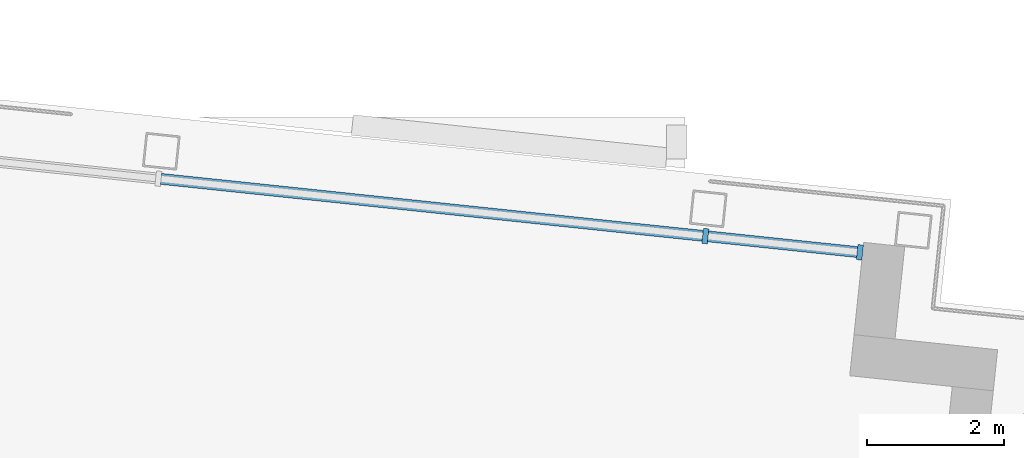
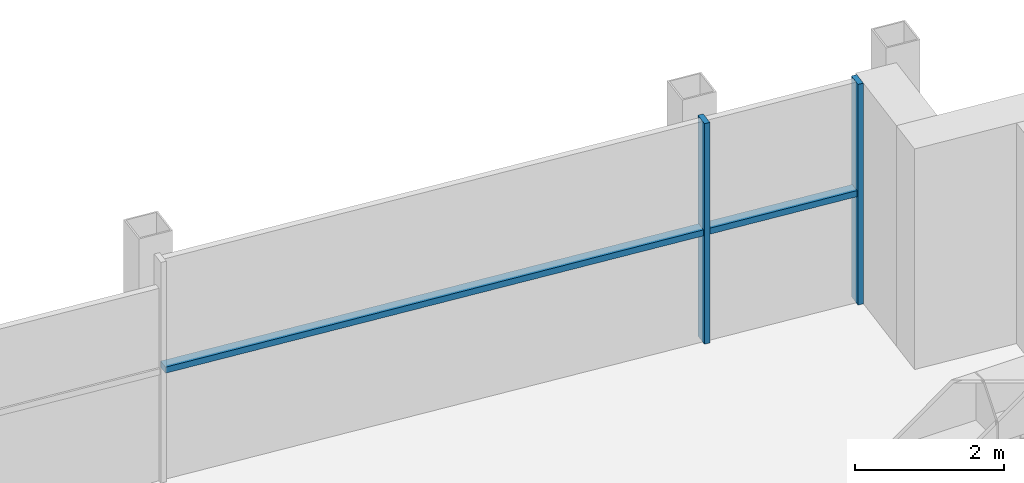
# One storey, part 5 of 18: 4 members, 1 element without a shape of its own.
"""IFC4 building model written with IfcOpenShell, lengths in metres."""

from ifc_helpers import new_model, si_unit, direction, frame, origin, origin_2d, place, context, subcontext, project, spatial, rectangle, extrude, material, material_profile, profile_set, type_object, element, aggregate, save


model = new_model("IFC4")

# Units and contexts
model_context = context("Model", 3, precision=1e-05, world=origin(), true_north=direction((0.0, 1.0)))
body_context = subcontext(model_context, "Body", "Model", "MODEL_VIEW")
ifc_project = project(units=[si_unit("LENGTHUNIT", "METRE"), si_unit("AREAUNIT", "SQUARE_METRE"), si_unit("VOLUMEUNIT", "CUBIC_METRE"), si_unit("PLANEANGLEUNIT", "RADIAN"), si_unit("MASSUNIT", "GRAM", prefix="KILO")], contexts=[model_context])

# Site, building, storey
site_placement = place(None, origin())
site = spatial("IfcSite", under=ifc_project, at=site_placement, CompositionType="ELEMENT")
building_placement = place(site_placement, origin())
building = spatial("IfcBuilding", under=site, at=building_placement, Name="Vidyagriha Tower", CompositionType="ELEMENT")
storey_placement = place(building_placement, frame((0.0, 0.0, 249.199951171875)))
storey = spatial("IfcBuildingStorey", under=building, at=storey_placement, Name="L64", CompositionType="ELEMENT", Elevation=249.199951171875)

# Curtain wall, members
ifc_material_1 = material(Name="Aluminium and glass curtain wall", Category="aluminium")
curtain_wall_type = type_object("IfcCurtainWallType", Name="Plant louvre wall", PredefinedType="USERDEFINED", material=ifc_material_1)
curtain_wall_placement = place(storey_placement, origin())
curtain_wall = element("IfcCurtainWall", 1, at=curtain_wall_placement, inside=storey, type_object=curtain_wall_type, Name="CW7 plant louvre wall", ObjectType="STICK GLAZING", PredefinedType="USERDEFINED")
ifc_material_2 = material(Name="Aluminium black anodised", Category="aluminium")
ifc_material_profile_1 = material_profile(ifc_material_2, rectangle(XDim=0.219970703125, YDim=0.080078125, at=origin_2d()), Name="Mullion 80x220 black aluminium")
ifc_profile_set_1 = profile_set([ifc_material_profile_1], Name="Aluminium black anodised")
member_type_1 = type_object("IfcMemberType", Name="Mullion 80x220 black aluminium", PredefinedType="MULLION", material=ifc_profile_set_1)
member_1_placement = place(storey_placement, frame((28.0439453125, 18.028076171875, 0.0), z_axis=(0.0, 0.0, 1.0), x_axis=(-0.104528852722, -0.994521854435, 0.0)))
member_1 = element("IfcMember", 2, at=member_1_placement, type_object=member_type_1, Name="CW7 mullion 1", PredefinedType="MULLION", context=body_context, shape_type="SweptSolid", body=[
    extrude(rectangle(XDim=0.219970703125, YDim=0.080078125, at=origin_2d()), origin(), (0.0, 0.0, 1.0), 3.6201171875),
])
member_2_placement = place(storey_placement, frame((25.79638671875, 18.264404296875, 0.0), z_axis=(0.0, 0.0, 1.0), x_axis=(-0.104528852722, -0.994521854435, 0.0)))
member_2 = element("IfcMember", 3, at=member_2_placement, type_object=member_type_1, Name="CW7 mullion 2", PredefinedType="MULLION", context=body_context, shape_type="SweptSolid", body=[
    extrude(rectangle(XDim=0.219970703125, YDim=0.080078125, at=origin_2d()), origin(), (0.0, 0.0, 1.0), 3.6201171875),
])
ifc_material_3 = material(Name="Aluminium black anodised", Category="aluminium")
ifc_material_profile_2 = material_profile(ifc_material_3, rectangle(XDim=0.159912109375, YDim=0.10009765625, at=origin_2d()), Name="Transom 100x160 black aluminium")
ifc_profile_set_2 = profile_set([ifc_material_profile_2], Name="Aluminium black anodised")
member_type_2 = type_object("IfcMemberType", Name="Transom 100x160 black aluminium", PredefinedType="USERDEFINED", material=ifc_profile_set_2)
member_3_placement = place(storey_placement, frame((28.004150390625, 18.032470703125, 1.81005859375), z_axis=(-0.994525685669, 0.104492394677, 0.0), x_axis=(-0.104492394677, -0.994525685669, 0.0)))
member_3 = element("IfcMember", 4, at=member_3_placement, type_object=member_type_2, Name="CW7 transom 1.1", ObjectType="TRANSOM", PredefinedType="USERDEFINED", context=body_context, shape_type="SweptSolid", body=[
    extrude(rectangle(XDim=0.159912109375, YDim=0.10009765625, at=origin_2d()), origin(), (0.0, 0.0, 1.0), 2.179931640625),
])
member_4_placement = place(storey_placement, frame((25.756591796875, 18.2685546875, 1.81005859375), z_axis=(-0.994521824685, 0.104529135775, 0.0), x_axis=(-0.104529135775, -0.994521824685, 0.0)))
member_4 = element("IfcMember", 5, at=member_4_placement, type_object=member_type_2, Name="CW7 transom 2.1", ObjectType="TRANSOM", PredefinedType="USERDEFINED", context=body_context, shape_type="SweptSolid", body=[
    extrude(rectangle(XDim=0.159912109375, YDim=0.10009765625, at=origin_2d()), origin(), (0.0, 0.0, 1.0), 7.920166015625),
])
aggregate(curtain_wall, [member_1, member_2, member_3, member_4])

save(model, "model.ifc")
